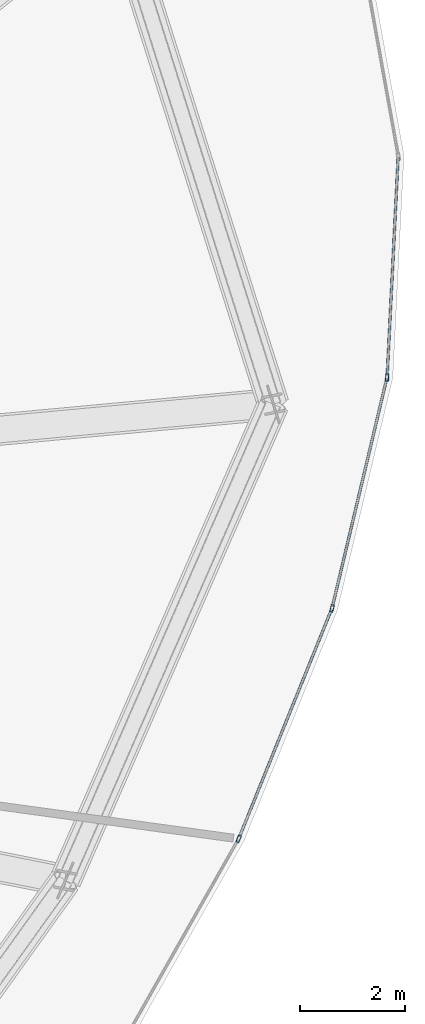
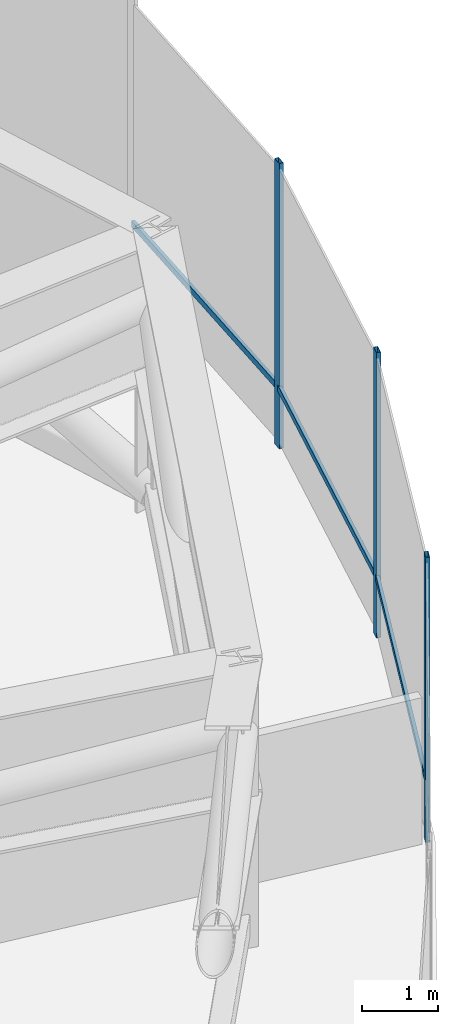
# One storey, part 17 of 30: 6 members, 1 element without a shape of its own.
"""IFC4 building model written with IfcOpenShell, lengths in metres."""

from ifc_helpers import new_model, si_unit, direction, frame, origin, origin_2d, place, context, subcontext, project, spatial, hollow_rectangle, extrude, source, transform, mapped, material, layer, layer_set, material_profile, profile_set, type_object, element, aggregate, save


model = new_model("IFC4")

# Units and contexts
model_context = context("Model", 3, precision=1e-05, world=origin(), true_north=direction((0.0, 1.0)))
body_context = subcontext(model_context, "Body", "Model", "MODEL_VIEW")
ifc_project = project(units=[si_unit("LENGTHUNIT", "METRE"), si_unit("AREAUNIT", "SQUARE_METRE"), si_unit("VOLUMEUNIT", "CUBIC_METRE"), si_unit("PLANEANGLEUNIT", "RADIAN"), si_unit("MASSUNIT", "GRAM", prefix="KILO"), si_unit("THERMODYNAMICTEMPERATUREUNIT", "KELVIN")], contexts=[model_context])

# Site, building, storey
site_placement = place(None, origin())
site = spatial("IfcSite", under=ifc_project, at=site_placement, CompositionType="ELEMENT")
building_placement = place(site_placement, origin())
building = spatial("IfcBuilding", under=site, at=building_placement, Name="Kethvar Cultural Tower", CompositionType="ELEMENT")
storey_placement = place(building_placement, frame((0.0, 0.0, 171.39990234375)))
storey = spatial("IfcBuildingStorey", under=building, at=storey_placement, Name="L44", CompositionType="ELEMENT", Elevation=171.39990234375)

# Curtain wall, members
ifc_material = material(Name="Aluminium 6063-T6", Category="aluminium")
ifc_layer = layer(ifc_material, 0.179931640625, Name="Aluminium 6063-T6", Category="aluminium")
ifc_layer_set = layer_set([ifc_layer], Name="Aluminium 6063-T6 (180 mm)")
curtain_wall_type = type_object("IfcCurtainWallType", Name="CW-SYS-04-Z34", PredefinedType="NOTDEFINED", material=ifc_layer_set)
curtain_wall_placement = place(storey_placement, origin())
curtain_wall = element("IfcCurtainWall", 1, at=curtain_wall_placement, inside=storey, type_object=curtain_wall_type, Name="L44 Curtain Wall Run 06", PredefinedType="NOTDEFINED")
ifc_material_profile_1 = material_profile(ifc_material, hollow_rectangle(XDim=0.06005859375, YDim=0.139892578125, WallThickness=0.0048828125, at=origin_2d()), Name="Aluminium 6063-T6 — RHS140x60x5")
ifc_profile_set_1 = profile_set([ifc_material_profile_1], Name="Aluminium 6063-T6 — RHS140x60x5")
member_type_1 = type_object("IfcMemberType", Name="CW-SYS-04-Z34-MUL", PredefinedType="MULLION", material=ifc_profile_set_1)
shared_shape_1 = source(origin(), body_context, "Body", "SweptSolid", [
    extrude(hollow_rectangle(XDim=0.06005859375, YDim=0.139892578125, WallThickness=0.0048828125, at=origin_2d()), origin(), (0.0, 0.0, 1.0), 4.580078125),
])
member_1_placement = place(storey_placement, frame((70.942138671875, 24.44921875, 0.0), z_axis=(0.0, 0.0, 1.0), x_axis=(-0.926961395304, 0.375156729402, 0.0)))
member_1 = element("IfcMember", 2, at=member_1_placement, type_object=member_type_1, Name="CW-L44-R06 Mullion 2", PredefinedType="MULLION", context=body_context, shape_type="MappedRepresentation", body=[
    mapped(shared_shape_1, transform((0.0, 0.0, 0.0), scale=1.0)),
])
member_2_placement = place(storey_placement, frame((72.7216796875, 28.843017578125, 0.0), z_axis=(0.0, 0.0, 1.0), x_axis=(-0.972800141459, 0.231646033372, 0.0)))
member_2 = element("IfcMember", 3, at=member_2_placement, type_object=member_type_1, Name="CW-L44-R06 Mullion 3", PredefinedType="MULLION", context=body_context, shape_type="MappedRepresentation", body=[
    mapped(shared_shape_1, transform((0.0, 0.0, 0.0), scale=1.0)),
])
member_3_placement = place(storey_placement, frame((73.77099609375, 33.241455078125, 0.0), z_axis=(0.0, 0.0, 1.0), x_axis=(-0.998750076311, 0.049982847737, 0.0)))
member_3 = element("IfcMember", 4, at=member_3_placement, type_object=member_type_1, Name="CW-L44-R06 Mullion 4", PredefinedType="MULLION", context=body_context, shape_type="MappedRepresentation", body=[
    mapped(shared_shape_1, transform((0.0, 0.0, 0.0), scale=1.0)),
])
ifc_material_profile_2 = material_profile(ifc_material, hollow_rectangle(XDim=0.050048828125, YDim=0.10009765625, WallThickness=0.00390625, at=origin_2d()), Name="Aluminium 6063-T6 — RHS100x50x4")
ifc_profile_set_2 = profile_set([ifc_material_profile_2], Name="Aluminium 6063-T6 — RHS100x50x4")
member_type_2 = type_object("IfcMemberType", Name="CW-SYS-04-Z34-TRN", PredefinedType="USERDEFINED", material=ifc_profile_set_2)
shared_shape_2 = source(origin(), body_context, "Body", "SweptSolid", [
    extrude(hollow_rectangle(XDim=0.050048828125, YDim=0.10009765625, WallThickness=0.00390625, at=origin_2d()), origin(), (0.0, 0.0, 1.0), 4.16064453125),
])
member_4_placement = place(storey_placement, frame((73.773193359375, 33.28466796875, 0.9501953125), z_axis=(0.04999322147, 0.9987495571, 0.0), x_axis=(-0.9987495571, 0.04999322147, 0.0)))
member_4 = element("IfcMember", 5, at=member_4_placement, type_object=member_type_2, Name="CW-L44-R06 Transom 4", ObjectType="TRANSOM", PredefinedType="USERDEFINED", context=body_context, shape_type="MappedRepresentation", body=[
    mapped(shared_shape_2, transform((0.0, 0.0, 0.0), scale=1.0)),
])
shared_shape_3 = source(origin(), body_context, "Body", "SweptSolid", [
    extrude(hollow_rectangle(XDim=0.050048828125, YDim=0.10009765625, WallThickness=0.00390625, at=origin_2d()), origin(), (0.0, 0.0, 1.0), 4.45556640625),
])
member_5_placement = place(storey_placement, frame((72.731689453125, 28.885009765625, 0.9501953125), z_axis=(0.231664972921, 0.972795631323, 0.0), x_axis=(-0.972795631323, 0.231664972921, 0.0)))
member_5 = element("IfcMember", 6, at=member_5_placement, type_object=member_type_2, Name="CW-L44-R06 Transom 3", ObjectType="TRANSOM", PredefinedType="USERDEFINED", context=body_context, shape_type="MappedRepresentation", body=[
    mapped(shared_shape_3, transform((0.0, 0.0, 0.0), scale=1.0)),
])
shared_shape_4 = source(origin(), body_context, "Body", "SweptSolid", [
    extrude(hollow_rectangle(XDim=0.050048828125, YDim=0.10009765625, WallThickness=0.00390625, at=origin_2d()), origin(), (0.0, 0.0, 1.0), 4.6708984375),
])
member_6_placement = place(storey_placement, frame((70.958251953125, 24.4892578125, 0.9501953125), z_axis=(0.375190619086, 0.926947678863, 0.0), x_axis=(-0.926947678863, 0.375190619086, 0.0)))
member_6 = element("IfcMember", 7, at=member_6_placement, type_object=member_type_2, Name="CW-L44-R06 Transom 2", ObjectType="TRANSOM", PredefinedType="USERDEFINED", context=body_context, shape_type="MappedRepresentation", body=[
    mapped(shared_shape_4, transform((0.0, 0.0, 0.0), scale=1.0)),
])
aggregate(curtain_wall, [member_1, member_2, member_3, member_6, member_5, member_4])

save(model, "model.ifc")
